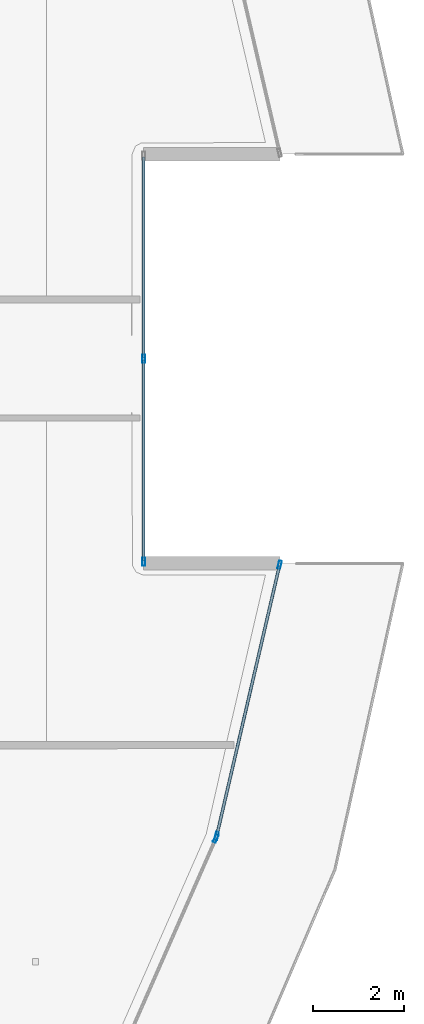
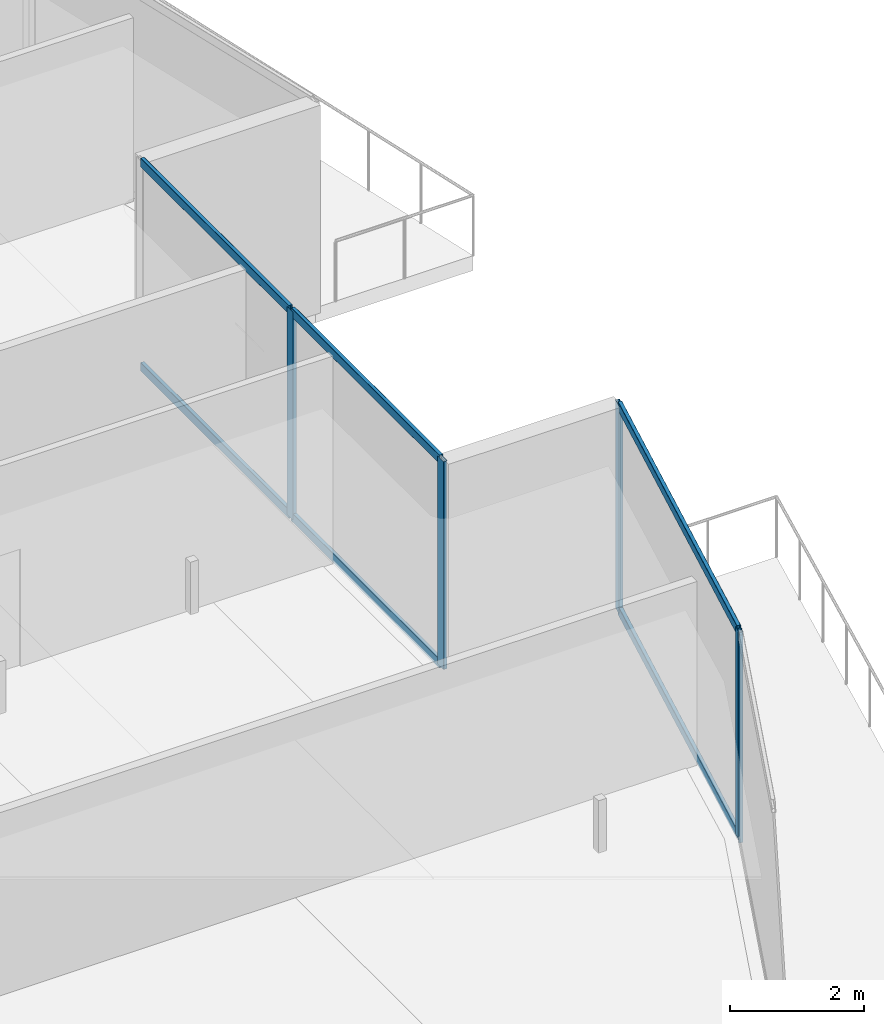
# One storey, part 13 of 36: 11 members, 3 elements without a shape of their own.
"""IFC4 building model written with IfcOpenShell, lengths in metres."""

import ifcopenshell
import ifcopenshell.guid

model = None  # the IFC model being written
_history = None  # IfcOwnerHistory: only IFC2X3 demands one
_inside = {}  # id of a spatial element -> (the spatial element, [elements in it])
_under = {}  # id of a project, library or spatial element -> (it, [spatial elements below it])
_declared = {}  # id of a project -> (the project, [libraries it declares])
_typed = {}  # id of a type object -> (the type object, [elements of that type])
_made_of = {}  # id of a material, layer set ... -> (it, [elements and type objects made of it])


def new_model(schema):
    """Start an empty IFC model of exactly this schema.

    Asked for "IFC4X3", IfcOpenShell would pick the latest addendum, in which some entities
    have other attributes; the version numbers below select the first issue.
    IFC2X3 requires an IfcOwnerHistory on every rooted entity: one is made here for all.
    """
    global model, _history
    if schema == "IFC4X3":
        model = ifcopenshell.file(schema_version=(4, 3, 0, 0))
    else:
        model = ifcopenshell.file(schema=schema)
    _inside.clear()
    _under.clear()
    _declared.clear()
    _typed.clear()
    _made_of.clear()
    _history = None
    if model.schema == "IFC2X3":
        org = make("IfcOrganization", Name="unknown")
        user = make(
            "IfcPersonAndOrganization",
            ThePerson=make("IfcPerson", FamilyName="unknown"),
            TheOrganization=org,
        )
        app = make(
            "IfcApplication",
            ApplicationDeveloper=org,
            Version="unknown",
            ApplicationFullName="unknown",
            ApplicationIdentifier="unknown",
        )
        _history = make(
            "IfcOwnerHistory",
            OwningUser=user,
            OwningApplication=app,
            ChangeAction="ADDED",
            CreationDate=0,
        )
    return model


def make(cls, **values):
    """One entity of the class cls with the attributes given. An attribute that is None is left unset."""
    return model.create_entity(
        cls, **{name: value for name, value in values.items() if value is not None}
    )


def rooted(cls, **values):
    """An entity with a GlobalId (a new one), such as an element, a storey or a relation."""
    return make(cls, GlobalId=ifcopenshell.guid.new(), OwnerHistory=_history, **values)


def si_unit(unit_type, name, prefix=None):
    """IfcSIUnit, for example si_unit("LENGTHUNIT", "METRE", prefix="MILLI")."""
    return make("IfcSIUnit", UnitType=unit_type, Prefix=prefix, Name=name)


def assignment(units):
    """IfcUnitAssignment: the units of a project."""
    return None if units is None else make("IfcUnitAssignment", Units=units)


def point(xyz):
    """IfcCartesianPoint."""
    return None if xyz is None else make("IfcCartesianPoint", Coordinates=xyz)


def direction(xyz):
    """IfcDirection."""
    return None if xyz is None else make("IfcDirection", DirectionRatios=xyz)


def frame(location, z_axis=None, x_axis=None):
    """IfcAxis2Placement3D, a coordinate frame: its origin and axes. An axis left out is left unset."""
    return make(
        "IfcAxis2Placement3D",
        Location=point(location),
        Axis=direction(z_axis),
        RefDirection=direction(x_axis),
    )


def frame_2d(location, x_axis=None):
    """IfcAxis2Placement2D, a coordinate frame in the plane: its origin and x axis."""
    return make(
        "IfcAxis2Placement2D", Location=point(location), RefDirection=direction(x_axis)
    )


def origin():
    """The frame at (0, 0, 0) with its axes left unset."""
    return frame((0.0, 0.0, 0.0))


def origin_2d():
    """The frame at (0, 0) in the plane with its x axis left unset."""
    return frame_2d((0.0, 0.0))


def place(relative_to, where):
    """IfcLocalPlacement: puts the frame where relative to a parent placement (None: the world)."""
    return make(
        "IfcLocalPlacement", PlacementRelTo=relative_to, RelativePlacement=where
    )


def context(
    kind, dimensions, precision=None, world=None, true_north=None, identifier=None
):
    """IfcGeometricRepresentationContext, for example the 3D "Model" context."""
    return make(
        "IfcGeometricRepresentationContext",
        ContextIdentifier=identifier,
        ContextType=kind,
        CoordinateSpaceDimension=dimensions,
        Precision=precision,
        WorldCoordinateSystem=world,
        TrueNorth=true_north,
    )


def subcontext(parent, identifier, kind, view, scale=None):
    """IfcGeometricRepresentationSubContext, for example "Body" below "Model"."""
    return make(
        "IfcGeometricRepresentationSubContext",
        ContextIdentifier=identifier,
        ContextType=kind,
        ParentContext=parent,
        TargetScale=scale,
        TargetView=view,
    )


def project(units=None, contexts=None):
    """IfcProject with its units and contexts."""
    return rooted(
        "IfcProject",
        Name="project",
        RepresentationContexts=contexts,
        UnitsInContext=assignment(units),
    )


def spatial(cls, under=None, at=None, **own):
    """A site, building, storey or space (cls), placed at a placement, below another one or the project."""
    s = rooted(cls, ObjectPlacement=at, **own)
    if under is not None:
        _under.setdefault(under.id(), (under, []))[1].append(s)
    return s


def profile(cls, at=None, kind="AREA", **sizes):
    """A parametric profile (cls). Its sizes go by their IFC names, for example OverallWidth=200.0."""
    return make(cls, ProfileType=kind, Position=at, **sizes)


def hollow_rectangle(**sizes):
    """IfcRectangleHollowProfileDef."""
    return profile("IfcRectangleHollowProfileDef", **sizes)


def extrude(swept, where, along, depth):
    """IfcExtrudedAreaSolid: the profile swept, set in the frame where, extruded along a direction by depth."""
    return make(
        "IfcExtrudedAreaSolid",
        SweptArea=swept,
        Position=where,
        ExtrudedDirection=direction(along),
        Depth=depth,
    )


def shape(context_of_items, identifier, shape_type, items):
    """IfcShapeRepresentation: the items that make up one representation, for example the "Body"."""
    return make(
        "IfcShapeRepresentation",
        ContextOfItems=context_of_items,
        RepresentationIdentifier=identifier,
        RepresentationType=shape_type,
        Items=items,
    )


def material(Name=None, Category=None):
    """IfcMaterial."""
    return make("IfcMaterial", Name=Name, Category=Category)


def layer(
    of_material, thickness, ventilated=None, Name=None, Category=None, Priority=None
):
    """IfcMaterialLayer: one layer of a wall or slab, of a material (None: an air gap)."""
    return make(
        "IfcMaterialLayer",
        Material=of_material,
        LayerThickness=thickness,
        IsVentilated=ventilated,
        Name=Name,
        Category=Category,
        Priority=Priority,
    )


def layer_set(layers, Name=None):
    """IfcMaterialLayerSet."""
    return make("IfcMaterialLayerSet", MaterialLayers=layers, LayerSetName=Name)


def material_profile(
    of_material, cross_section, Name=None, Category=None, Priority=None
):
    """IfcMaterialProfile: a cross section and its material."""
    return make(
        "IfcMaterialProfile",
        Name=Name,
        Material=of_material,
        Profile=cross_section,
        Priority=Priority,
        Category=Category,
    )


def profile_set(profiles, Name=None, composite=None):
    """IfcMaterialProfileSet."""
    return make(
        "IfcMaterialProfileSet",
        Name=Name,
        MaterialProfiles=profiles,
        CompositeProfile=composite,
    )


def made_of(thing, what):
    """Note that an element or type object is made of a material, layer set ...; save() writes the relation."""
    if what is not None:
        _made_of.setdefault(what.id(), (what, []))[1].append(thing)
    return thing


def type_object(cls, material=None, **own):
    """A type object (cls), such as IfcWallType, which elements share."""
    return made_of(rooted(cls, **own), material)


def element(
    cls,
    number,
    at=None,
    inside=None,
    cuts=None,
    type_object=None,
    material=None,
    context=None,
    identifier="Body",
    shape_type=None,
    held_by="IfcProductDefinitionShape",
    body=None,
    shapes=None,
    **own,
):
    """One element of the class cls, such as IfcWall. Its Tag is "e" and its number.

    at: its placement. inside: the storey or other place that contains it. cuts: it is an
    opening in that element (IfcRelVoidsElement). A single representation is given by context,
    identifier, shape_type and body (its items); several are given by shapes. held_by: the class
    of the entity that holds the representations. save() writes the other relations.
    """
    e = rooted(cls, Tag="e%d" % number, ObjectPlacement=at, **own)
    if body is not None:
        shapes = [shape(context, identifier, shape_type, body)]
    if shapes is not None:
        e.Representation = make(held_by, Representations=shapes)
    if inside is not None:
        _inside.setdefault(inside.id(), (inside, []))[1].append(e)
    if cuts is not None:
        rooted(
            "IfcRelVoidsElement", RelatingBuildingElement=cuts, RelatedOpeningElement=e
        )
    if type_object is not None:
        _typed.setdefault(type_object.id(), (type_object, []))[1].append(e)
    return made_of(e, material)


def aggregate(whole, parts):
    """IfcRelAggregates: a whole, such as a stair, and the parts it consists of."""
    return rooted("IfcRelAggregates", RelatingObject=whole, RelatedObjects=parts)


def save(model, path):
    """Write the relations noted so far, then the file.

    IfcRelAggregates (storeys below a building ...), IfcRelContainedInSpatialStructure (elements
    in a storey), IfcRelDefinesByType, IfcRelAssociatesMaterial and IfcRelDeclares: one each for
    every whole, place, type object, material and project.
    """
    for whole, parts in _under.values():
        aggregate(whole, parts)
    for where, things in _inside.values():
        rooted(
            "IfcRelContainedInSpatialStructure",
            RelatedElements=things,
            RelatingStructure=where,
        )
    for kind, things in _typed.values():
        rooted("IfcRelDefinesByType", RelatedObjects=things, RelatingType=kind)
    for what, things in _made_of.values():
        rooted("IfcRelAssociatesMaterial", RelatedObjects=things, RelatingMaterial=what)
    for by, libraries in _declared.values():
        rooted("IfcRelDeclares", RelatingContext=by, RelatedDefinitions=libraries)
    model.write(path)


model = new_model("IFC4")

# Units and contexts
model_context = context("Model", 3, precision=1e-05, world=origin(), true_north=direction((0.0, 1.0)))
body_context = subcontext(model_context, "Body", "Model", "MODEL_VIEW")
ifc_project = project(units=[si_unit("LENGTHUNIT", "METRE"), si_unit("AREAUNIT", "SQUARE_METRE"), si_unit("VOLUMEUNIT", "CUBIC_METRE"), si_unit("PLANEANGLEUNIT", "RADIAN"), si_unit("MASSUNIT", "GRAM", prefix="KILO")], contexts=[model_context])

# Site, building, storey
site_placement = place(None, origin())
site = spatial("IfcSite", under=ifc_project, at=site_placement, CompositionType="ELEMENT")
building_placement = place(site_placement, origin())
building = spatial("IfcBuilding", under=site, at=building_placement, Name="Qorvath Tower", CompositionType="ELEMENT")
storey_placement = place(building_placement, frame((0.0, 0.0, 205.050048828125)))
storey = spatial("IfcBuildingStorey", under=building, at=storey_placement, Name="L47", CompositionType="ELEMENT", Elevation=205.050048828125)

# Curtain wall, member
ifc_material_1 = material(Name="Anodised aluminium and triple low-E glass", Category="aluminium")
ifc_layer = layer(ifc_material_1, 0.179931640625)
ifc_layer_set = layer_set([ifc_layer], Name="CW-SYS-3")
curtain_wall_type = type_object("IfcCurtainWallType", Name="CW-SYS-3", PredefinedType="NOTDEFINED", material=ifc_layer_set)
curtain_wall_1_placement = place(storey_placement, origin())
curtain_wall_1 = element("IfcCurtainWall", 1, at=curtain_wall_1_placement, inside=storey, type_object=curtain_wall_type, Name="Curtain Wall CW-3 CW-T-L47-6.1", PredefinedType="NOTDEFINED")
ifc_material_2 = material(Name="Anodised aluminium 6063-T6", Category="aluminium")
ifc_material_profile_1 = material_profile(ifc_material_2, hollow_rectangle(XDim=0.06494140625, YDim=0.179931640625, WallThickness=0.00341796875, InnerFilletRadius=0.00341796875, OuterFilletRadius=0.007080078125, at=origin_2d()), Name="CWM 180x65")
ifc_profile_set_1 = profile_set([ifc_material_profile_1], Name="Anodised aluminium 6063-T6")
member_type_1 = type_object("IfcMemberType", Name="CWM-180", PredefinedType="MULLION", material=ifc_profile_set_1)
member_1_placement = place(storey_placement, frame((0.2646484375, -10.603515625, 0.0), z_axis=(0.0, 0.0, 1.0), x_axis=(-0.915498802884, 0.402320695364, 0.0)))
member_1 = element("IfcMember", 2, at=member_1_placement, type_object=member_type_1, Name="CW-3 mullion 2", PredefinedType="MULLION", context=body_context, shape_type="SweptSolid", body=[
    extrude(hollow_rectangle(XDim=0.06494140625, YDim=0.179931640625, WallThickness=0.00341796875, InnerFilletRadius=0.00341796875, OuterFilletRadius=0.007080078125, at=origin_2d()), origin(), (0.0, 0.0, 1.0), 3.780029296875),
])
aggregate(curtain_wall_1, [member_1])

# Curtain wall, members
curtain_wall_2_placement = place(storey_placement, origin())
curtain_wall_2 = element("IfcCurtainWall", 3, at=curtain_wall_2_placement, inside=storey, type_object=curtain_wall_type, Name="Curtain Wall CW-3 CW-T-L47-7.1", PredefinedType="NOTDEFINED")
member_2_placement = place(storey_placement, frame((0.28515625, -10.5419921875, 0.0), z_axis=(0.0, 0.0, 1.0), x_axis=(-0.974064216624, 0.226271743469, 0.0)))
member_2 = element("IfcMember", 4, at=member_2_placement, type_object=member_type_1, Name="CW-3 mullion 1", PredefinedType="MULLION", context=body_context, shape_type="SweptSolid", body=[
    extrude(hollow_rectangle(XDim=0.06494140625, YDim=0.179931640625, WallThickness=0.00341796875, InnerFilletRadius=0.00341796875, OuterFilletRadius=0.007080078125, at=origin_2d()), origin(), (0.0, 0.0, 1.0), 3.780029296875),
])
member_3_placement = place(storey_placement, frame((1.6767578125, -4.551513671875, 0.0), z_axis=(0.0, 0.0, 1.0), x_axis=(-0.974064216624, 0.226271743469, 0.0)))
member_3 = element("IfcMember", 5, at=member_3_placement, type_object=member_type_1, Name="CW-3 mullion 2", PredefinedType="MULLION", context=body_context, shape_type="SweptSolid", body=[
    extrude(hollow_rectangle(XDim=0.06494140625, YDim=0.179931640625, WallThickness=0.00341796875, InnerFilletRadius=0.00341796875, OuterFilletRadius=0.007080078125, at=origin_2d()), origin(), (0.0, 0.0, 1.0), 3.780029296875),
])

curtain_wall_3_placement = place(storey_placement, origin())
curtain_wall_3 = element("IfcCurtainWall", 6, at=curtain_wall_3_placement, inside=storey, type_object=curtain_wall_type, Name="Curtain Wall CW-3 CW-T-L47-9.1", PredefinedType="NOTDEFINED")
member_4_placement = place(storey_placement, frame((-1.3291015625, -4.4873046875, 0.0), z_axis=(0.0, 0.0, 1.0), x_axis=(-1.0, 0.0, 0.0)))
member_4 = element("IfcMember", 7, at=member_4_placement, type_object=member_type_1, Name="CW-3 mullion 1", PredefinedType="MULLION", context=body_context, shape_type="SweptSolid", body=[
    extrude(hollow_rectangle(XDim=0.06494140625, YDim=0.179931640625, WallThickness=0.00341796875, InnerFilletRadius=0.00341796875, OuterFilletRadius=0.007080078125, at=origin_2d()), origin(), (0.0, 0.0, 1.0), 3.780029296875),
])
member_5_placement = place(storey_placement, frame((-1.3291015625, 0.0, 0.0), z_axis=(0.0, 0.0, 1.0), x_axis=(-1.0, 0.0, 0.0)))
member_5 = element("IfcMember", 8, at=member_5_placement, type_object=member_type_1, Name="CW-3 mullion 2", PredefinedType="MULLION", context=body_context, shape_type="SweptSolid", body=[
    extrude(hollow_rectangle(XDim=0.06494140625, YDim=0.179931640625, WallThickness=0.00341796875, InnerFilletRadius=0.00341796875, OuterFilletRadius=0.007080078125, at=origin_2d()), origin(), (0.0, 0.0, 1.0), 3.780029296875),
])

# Member
ifc_material_3 = material(Name="Anodised aluminium 6063-T6", Category="aluminium")
ifc_material_profile_2 = material_profile(ifc_material_3, hollow_rectangle(XDim=0.06494140625, YDim=0.159912109375, WallThickness=0.00341796875, InnerFilletRadius=0.00341796875, OuterFilletRadius=0.007080078125, at=origin_2d()), Name="CWT 160x65")
ifc_profile_set_2 = profile_set([ifc_material_profile_2], Name="Anodised aluminium 6063-T6")
member_type_2 = type_object("IfcMemberType", Name="CWT-160", PredefinedType="USERDEFINED", material=ifc_profile_set_2)
member_6_placement = place(storey_placement, frame((0.29248046875, -10.510498046875, 0.032470703125), z_axis=(0.226274499404, 0.974063576426, 0.0), x_axis=(-0.974063576426, 0.226274499404, 0.0)))
member_6 = element("IfcMember", 9, at=member_6_placement, type_object=member_type_2, Name="CW-3 transom 1.1", ObjectType="TRANSOM", PredefinedType="USERDEFINED", context=body_context, shape_type="SweptSolid", body=[
    extrude(hollow_rectangle(XDim=0.06494140625, YDim=0.159912109375, WallThickness=0.00341796875, InnerFilletRadius=0.00341796875, OuterFilletRadius=0.007080078125, at=origin_2d()), origin(), (0.0, 0.0, 1.0), 6.085205078125),
])

member_7_placement = place(storey_placement, frame((0.29248046875, -10.510498046875, 3.74755859375), z_axis=(0.226274499404, 0.974063576426, 0.0), x_axis=(-0.974063576426, 0.226274499404, 0.0)))
member_7 = element("IfcMember", 10, at=member_7_placement, type_object=member_type_2, Name="CW-3 transom 1.2", ObjectType="TRANSOM", PredefinedType="USERDEFINED", context=body_context, shape_type="SweptSolid", body=[
    extrude(hollow_rectangle(XDim=0.06494140625, YDim=0.159912109375, WallThickness=0.00341796875, InnerFilletRadius=0.00341796875, OuterFilletRadius=0.007080078125, at=origin_2d()), origin(), (0.0, 0.0, 1.0), 6.085205078125),
])

aggregate(curtain_wall_2, [member_2, member_3, member_6, member_7])

member_8_placement = place(storey_placement, frame((-1.3291015625, -4.454833984375, 0.032470703125), z_axis=(0.0, 1.0, 0.0), x_axis=(-1.0, 0.0, 0.0)))
member_8 = element("IfcMember", 11, at=member_8_placement, type_object=member_type_2, Name="CW-3 transom 1.1", ObjectType="TRANSOM", PredefinedType="USERDEFINED", context=body_context, shape_type="SweptSolid", body=[
    extrude(hollow_rectangle(XDim=0.06494140625, YDim=0.159912109375, WallThickness=0.00341796875, InnerFilletRadius=0.00341796875, OuterFilletRadius=0.007080078125, at=origin_2d()), origin(), (0.0, 0.0, 1.0), 4.42236328125),
])

member_9_placement = place(storey_placement, frame((-1.3291015625, -4.454833984375, 3.74755859375), z_axis=(0.0, 1.0, 0.0), x_axis=(-1.0, 0.0, 0.0)))
member_9 = element("IfcMember", 12, at=member_9_placement, type_object=member_type_2, Name="CW-3 transom 1.2", ObjectType="TRANSOM", PredefinedType="USERDEFINED", context=body_context, shape_type="SweptSolid", body=[
    extrude(hollow_rectangle(XDim=0.06494140625, YDim=0.159912109375, WallThickness=0.00341796875, InnerFilletRadius=0.00341796875, OuterFilletRadius=0.007080078125, at=origin_2d()), origin(), (0.0, 0.0, 1.0), 4.42236328125),
])

member_10_placement = place(storey_placement, frame((-1.3291015625, 0.032470703125, 0.032470703125), z_axis=(0.0, 1.0, 0.0), x_axis=(-1.0, 0.0, 0.0)))
member_10 = element("IfcMember", 13, at=member_10_placement, type_object=member_type_2, Name="CW-3 transom 2.1", ObjectType="TRANSOM", PredefinedType="USERDEFINED", context=body_context, shape_type="SweptSolid", body=[
    extrude(hollow_rectangle(XDim=0.06494140625, YDim=0.159912109375, WallThickness=0.00341796875, InnerFilletRadius=0.00341796875, OuterFilletRadius=0.007080078125, at=origin_2d()), origin(), (0.0, 0.0, 1.0), 4.42236328125),
])

member_11_placement = place(storey_placement, frame((-1.3291015625, 0.032470703125, 3.74755859375), z_axis=(0.0, 1.0, 0.0), x_axis=(-1.0, 0.0, 0.0)))
member_11 = element("IfcMember", 14, at=member_11_placement, type_object=member_type_2, Name="CW-3 transom 2.2", ObjectType="TRANSOM", PredefinedType="USERDEFINED", context=body_context, shape_type="SweptSolid", body=[
    extrude(hollow_rectangle(XDim=0.06494140625, YDim=0.159912109375, WallThickness=0.00341796875, InnerFilletRadius=0.00341796875, OuterFilletRadius=0.007080078125, at=origin_2d()), origin(), (0.0, 0.0, 1.0), 4.42236328125),
])

aggregate(curtain_wall_3, [member_4, member_5, member_8, member_9, member_10, member_11])

save(model, "model.ifc")
